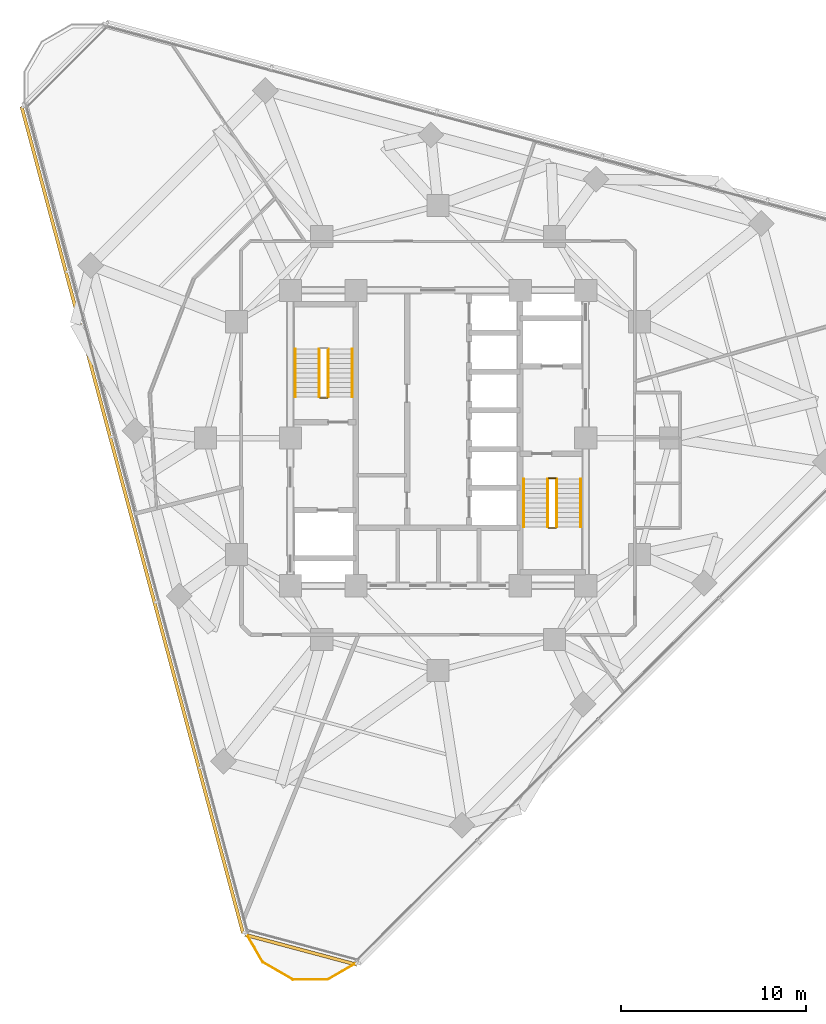
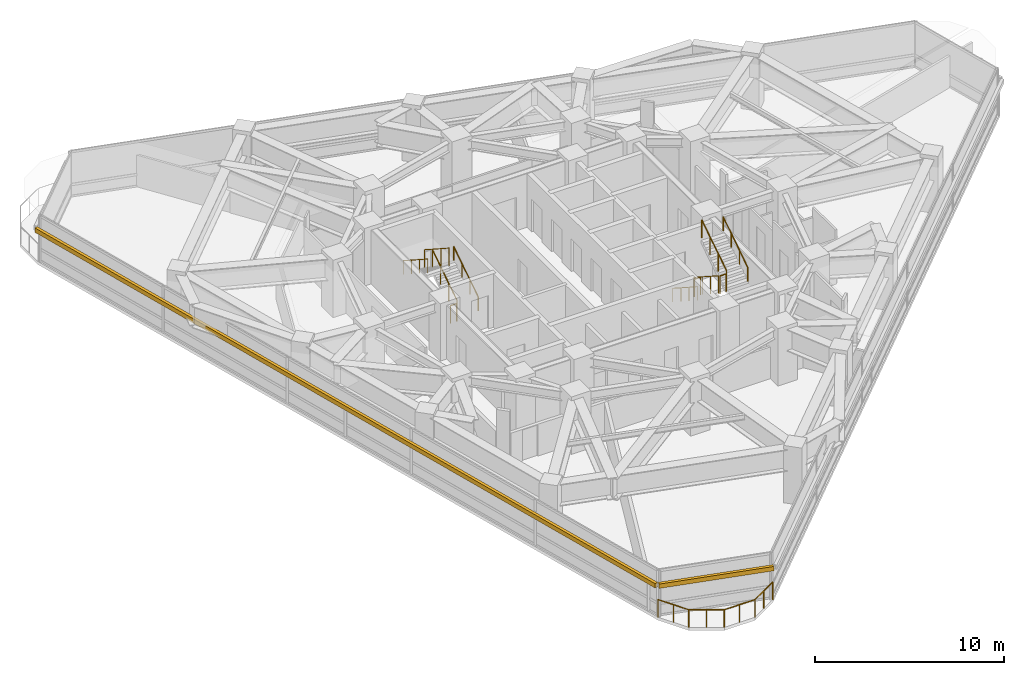
# One storey, part 12 of 15: 12 railings, 2 shading devices.
"""IFC4 building model written with IfcOpenShell, lengths in metres."""

from ifc_helpers import new_model, si_unit, direction, frame, origin, origin_2d, place, context, subcontext, project, spatial, rectangle, circle, extrude, material, layer, layer_set, type_object, element, save


model = new_model("IFC4")

# Units and contexts
model_context = context("Model", 3, precision=1e-05, world=origin(), true_north=direction((0.0, 1.0)))
body_context = subcontext(model_context, "Body", "Model", "MODEL_VIEW")
ifc_project = project(units=[si_unit("LENGTHUNIT", "METRE"), si_unit("AREAUNIT", "SQUARE_METRE"), si_unit("VOLUMEUNIT", "CUBIC_METRE"), si_unit("PLANEANGLEUNIT", "RADIAN"), si_unit("MASSUNIT", "GRAM", prefix="KILO")], contexts=[model_context])

# Site, building, storey
site_placement = place(None, origin())
site = spatial("IfcSite", under=ifc_project, at=site_placement, CompositionType="ELEMENT")
building_placement = place(site_placement, origin())
building = spatial("IfcBuilding", under=site, at=building_placement, Name="Terralouvre Media Tower", CompositionType="ELEMENT")
storey_placement = place(building_placement, frame((0.0, 0.0, 210.10009765625)))
storey = spatial("IfcBuildingStorey", under=building, at=storey_placement, Name="L54", CompositionType="ELEMENT", Elevation=210.10009765625)

# Railings
ifc_material_1 = material(Name="Stainless steel 316 handrail and balustrade", Category="steel")
ifc_layer_1 = layer(ifc_material_1, 0.06005859375, Name="Roof Edge Safety Guardrail GR-ROOF1")
ifc_layer_set_1 = layer_set([ifc_layer_1], Name="Stainless steel 316 handrail and balustrade")
railing_type_1 = type_object("IfcRailingType", Name="Roof Edge Safety Guardrail GR-ROOF1", PredefinedType="GUARDRAIL", material=ifc_layer_set_1)
railing_1_placement = place(storey_placement, frame((-10.418701171875, -26.77685546875, 0.0)))
element("IfcRailing", 1, at=railing_1_placement, inside=storey, type_object=railing_type_1, Name="L54 Wind-Corner Perimeter Safety Guardrail C0", PredefinedType="GUARDRAIL", context=body_context, shape_type="SweptSolid", body=[
    extrude(circle(Radius=0.02099609375, at=origin_2d()), frame((0.0, 0.0, 1.12890625), z_axis=(0.499797667116, -0.866142189219, 0.0), x_axis=(0.866142189219, 0.499797667116, 0.0)), (0.0, 0.0, 1.0), 1.873291015625),
    extrude(circle(Radius=0.02099609375, at=origin_2d()), frame((0.936279296875, -1.62255859375, 1.12890625), z_axis=(0.86593156901, -0.500162491388, 0.0), x_axis=(0.500162491388, 0.86593156901, 0.0)), (0.0, 0.0, 1.0), 1.873046875),
    extrude(circle(Radius=0.02099609375, at=origin_2d()), frame((2.55810546875, -2.559326171875, 1.12890625), z_axis=(0.999999991505, 0.000130344107, 0.0), x_axis=(-0.000130344107, 0.999999991505, 0.0)), (0.0, 0.0, 1.0), 1.873046875),
    extrude(circle(Radius=0.02099609375, at=origin_2d()), frame((4.43115234375, -2.55908203125, 1.12890625), z_axis=(0.86590772507, 0.500203770141, 0.0), x_axis=(-0.500203770141, 0.86590772507, 0.0)), (0.0, 0.0, 1.0), 1.873291015625),
    extrude(circle(Radius=0.01904296875, at=origin_2d()), origin(), (0.0, 0.0, 1.0), 1.10791015625),
    extrude(circle(Radius=0.01904296875, at=origin_2d()), frame((0.46826171875, -0.811279296875, 0.0)), (0.0, 0.0, 1.0), 1.10791015625),
    extrude(circle(Radius=0.01904296875, at=origin_2d()), frame((0.936279296875, -1.62255859375, 0.0)), (0.0, 0.0, 1.0), 1.10791015625),
    extrude(circle(Radius=0.01904296875, at=origin_2d()), frame((1.7470703125, -2.0908203125, 0.0)), (0.0, 0.0, 1.0), 1.10791015625),
    extrude(circle(Radius=0.01904296875, at=origin_2d()), frame((2.55810546875, -2.559326171875, 0.0)), (0.0, 0.0, 1.0), 1.10791015625),
    extrude(circle(Radius=0.01904296875, at=origin_2d()), frame((3.49462890625, -2.55908203125, 0.0)), (0.0, 0.0, 1.0), 1.10791015625),
    extrude(circle(Radius=0.01904296875, at=origin_2d()), frame((4.43115234375, -2.55908203125, 0.0)), (0.0, 0.0, 1.0), 1.10791015625),
    extrude(circle(Radius=0.01904296875, at=origin_2d()), frame((5.2421875, -2.090576171875, 0.0)), (0.0, 0.0, 1.0), 1.10791015625),
    extrude(circle(Radius=0.01904296875, at=origin_2d()), frame((6.05322265625, -1.6220703125, 0.0)), (0.0, 0.0, 1.0), 1.10791015625),
])
ifc_material_2 = material(Name="Stainless steel 316 handrail and balustrade", Category="steel")
ifc_layer_2 = layer(ifc_material_2, 0.050048828125, Name="Stair Flight Wall Handrail HR-INT1")
ifc_layer_set_2 = layer_set([ifc_layer_2], Name="Stainless steel 316 handrail and balustrade")
railing_type_2 = type_object("IfcRailingType", Name="Stair Flight Wall Handrail HR-INT1", PredefinedType="HANDRAIL", material=ifc_layer_set_2)
railing_2_placement = place(storey_placement, frame((-4.64990234375, 2.219970703125, 0.16796875)))
element("IfcRailing", 2, at=railing_2_placement, inside=storey, type_object=railing_type_2, Name="L54 ST-01 stair handrail 1", PredefinedType="HANDRAIL", context=body_context, shape_type="SweptSolid", body=[
    extrude(circle(Radius=0.02392578125, at=origin_2d()), frame((0.0, 0.0, 0.8759765625), z_axis=(0.0, 0.839648411786, 0.543130320075), x_axis=(-1.0, 0.0, 0.0)), (0.0, 0.0, 1.0), 3.0966796875),
    extrude(circle(Radius=0.02099609375, at=origin_2d()), origin(), (0.0, 0.0, 1.0), 0.851806640625),
    extrude(circle(Radius=0.02099609375, at=origin_2d()), frame((0.0, 0.86669921875, 0.560546875)), (0.0, 0.0, 1.0), 0.851806640625),
    extrude(circle(Radius=0.02099609375, at=origin_2d()), frame((0.0, 1.7333984375, 1.121337890625)), (0.0, 0.0, 1.0), 0.851806640625),
    extrude(circle(Radius=0.02099609375, at=origin_2d()), frame((0.0, 2.60009765625, 1.681884765625)), (0.0, 0.0, 1.0), 0.851806640625),
])
for number, where, name in (
    (3, (-7.72998046875, 4.820068359375, 2.01806640625), "L54 ST-01 stair handrail 2"),
    (4, (4.64990234375, -2.219970703125, 0.16796875), "L54 ST-02 stair handrail 1"),
):
    element("IfcRailing", number, at=place(storey_placement, frame(where)), inside=storey, type_object=railing_type_2, Name=name, PredefinedType="HANDRAIL", context=body_context, shape_type="SweptSolid", body=[
        extrude(circle(Radius=0.02392578125, at=origin_2d()), frame((0.0, 0.0, 0.8759765625), z_axis=(0.0, -0.839648411786, 0.543130320075), x_axis=(1.0, 0.0, 0.0)), (0.0, 0.0, 1.0), 3.0966796875),
        extrude(circle(Radius=0.02099609375, at=origin_2d()), origin(), (0.0, 0.0, 1.0), 0.851806640625),
        extrude(circle(Radius=0.02099609375, at=origin_2d()), frame((0.0, -0.86669921875, 0.560546875)), (0.0, 0.0, 1.0), 0.851806640625),
        extrude(circle(Radius=0.02099609375, at=origin_2d()), frame((0.0, -1.7333984375, 1.121337890625)), (0.0, 0.0, 1.0), 0.851806640625),
        extrude(circle(Radius=0.02099609375, at=origin_2d()), frame((0.0, -2.60009765625, 1.681884765625)), (0.0, 0.0, 1.0), 0.851806640625),
    ])
railing_3_placement = place(storey_placement, frame((7.72998046875, -4.820068359375, 2.01806640625)))
element("IfcRailing", 5, at=railing_3_placement, inside=storey, type_object=railing_type_2, Name="L54 ST-02 stair handrail 2", PredefinedType="HANDRAIL", context=body_context, shape_type="SweptSolid", body=[
    extrude(circle(Radius=0.02392578125, at=origin_2d()), frame((0.0, 0.0, 0.8759765625), z_axis=(0.0, 0.839648411786, 0.543130320075), x_axis=(-1.0, 0.0, 0.0)), (0.0, 0.0, 1.0), 3.0966796875),
    extrude(circle(Radius=0.02099609375, at=origin_2d()), origin(), (0.0, 0.0, 1.0), 0.851806640625),
    extrude(circle(Radius=0.02099609375, at=origin_2d()), frame((0.0, 0.86669921875, 0.560546875)), (0.0, 0.0, 1.0), 0.851806640625),
    extrude(circle(Radius=0.02099609375, at=origin_2d()), frame((0.0, 1.7333984375, 1.121337890625)), (0.0, 0.0, 1.0), 0.851806640625),
    extrude(circle(Radius=0.02099609375, at=origin_2d()), frame((0.0, 2.60009765625, 1.681884765625)), (0.0, 0.0, 1.0), 0.851806640625),
])
ifc_material_3 = material(Name="Stainless steel 316 handrail and balustrade", Category="steel")
ifc_layer_3 = layer(ifc_material_3, 0.050048828125, Name="Stairwell Safety Guardrail GR-INT1")
ifc_layer_set_3 = layer_set([ifc_layer_3], Name="Stainless steel 316 handrail and balustrade")
railing_type_3 = type_object("IfcRailingType", Name="Stairwell Safety Guardrail GR-INT1", PredefinedType="GUARDRAIL", material=ifc_layer_set_3)
railing_4_placement = place(storey_placement, frame((-5.949951171875, 2.219970703125, 0.16796875)))
element("IfcRailing", 6, at=railing_4_placement, inside=storey, type_object=railing_type_3, Name="L54 ST-01 stair guard 1", PredefinedType="GUARDRAIL", context=body_context, shape_type="SweptSolid", body=[
    extrude(circle(Radius=0.02392578125, at=origin_2d()), frame((0.0, 0.0, 1.1259765625), z_axis=(0.0, 0.839648411786, 0.543130320075), x_axis=(-1.0, 0.0, 0.0)), (0.0, 0.0, 1.0), 3.0966796875),
    extrude(circle(Radius=0.02099609375, at=origin_2d()), origin(), (0.0, 0.0, 1.0), 1.101806640625),
    extrude(circle(Radius=0.02099609375, at=origin_2d()), frame((0.0, 0.86669921875, 0.560546875)), (0.0, 0.0, 1.0), 1.101806640625),
    extrude(circle(Radius=0.02099609375, at=origin_2d()), frame((0.0, 1.7333984375, 1.121337890625)), (0.0, 0.0, 1.0), 1.101806640625),
    extrude(circle(Radius=0.02099609375, at=origin_2d()), frame((0.0, 2.60009765625, 1.681884765625)), (0.0, 0.0, 1.0), 1.101806640625),
])
railing_5_placement = place(storey_placement, frame((-6.429931640625, 4.820068359375, 2.01806640625)))
element("IfcRailing", 7, at=railing_5_placement, inside=storey, type_object=railing_type_3, Name="L54 ST-01 stair guard 3", PredefinedType="GUARDRAIL", context=body_context, shape_type="SweptSolid", body=[
    extrude(circle(Radius=0.02392578125, at=origin_2d()), frame((0.0, 0.0, 1.1259765625), z_axis=(0.0, -0.839648411786, 0.543130320075), x_axis=(1.0, 0.0, 0.0)), (0.0, 0.0, 1.0), 3.0966796875),
    extrude(circle(Radius=0.02099609375, at=origin_2d()), origin(), (0.0, 0.0, 1.0), 1.101806640625),
    extrude(circle(Radius=0.02099609375, at=origin_2d()), frame((0.0, -0.86669921875, 0.560546875)), (0.0, 0.0, 1.0), 1.101806640625),
    extrude(circle(Radius=0.02099609375, at=origin_2d()), frame((0.0, -1.7333984375, 1.121337890625)), (0.0, 0.0, 1.0), 1.101806640625),
    extrude(circle(Radius=0.02099609375, at=origin_2d()), frame((0.0, -2.60009765625, 1.681884765625)), (0.0, 0.0, 1.0), 1.101806640625),
])
railing_6_placement = place(storey_placement, frame((-6.0, 2.169921875, 0.0)))
element("IfcRailing", 8, at=railing_6_placement, inside=storey, type_object=railing_type_3, Name="L54 ST-01 stair guard 4", PredefinedType="GUARDRAIL", context=body_context, shape_type="SweptSolid", body=[
    extrude(circle(Radius=0.02392578125, at=origin_2d()), frame((0.0, 0.0, 1.1259765625), z_axis=(-1.0, 0.0, 0.0), x_axis=(0.0, -1.0, 0.0)), (0.0, 0.0, 1.0), 0.3798828125),
    extrude(circle(Radius=0.02099609375, at=origin_2d()), origin(), (0.0, 0.0, 1.0), 1.101806640625),
    extrude(circle(Radius=0.02099609375, at=origin_2d()), frame((-0.3798828125, 0.0, 0.0)), (0.0, 0.0, 1.0), 1.101806640625),
])
railing_7_placement = place(storey_placement, frame((5.949951171875, -2.219970703125, 0.16796875)))
element("IfcRailing", 9, at=railing_7_placement, inside=storey, type_object=railing_type_3, Name="L54 ST-02 stair guard 1", PredefinedType="GUARDRAIL", context=body_context, shape_type="SweptSolid", body=[
    extrude(circle(Radius=0.02392578125, at=origin_2d()), frame((0.0, 0.0, 1.1259765625), z_axis=(0.0, -0.839648411786, 0.543130320075), x_axis=(1.0, 0.0, 0.0)), (0.0, 0.0, 1.0), 3.0966796875),
    extrude(circle(Radius=0.02099609375, at=origin_2d()), origin(), (0.0, 0.0, 1.0), 1.101806640625),
    extrude(circle(Radius=0.02099609375, at=origin_2d()), frame((0.0, -0.86669921875, 0.560546875)), (0.0, 0.0, 1.0), 1.101806640625),
    extrude(circle(Radius=0.02099609375, at=origin_2d()), frame((0.0, -1.7333984375, 1.121337890625)), (0.0, 0.0, 1.0), 1.101806640625),
    extrude(circle(Radius=0.02099609375, at=origin_2d()), frame((0.0, -2.60009765625, 1.681884765625)), (0.0, 0.0, 1.0), 1.101806640625),
])
railing_8_placement = place(storey_placement, frame((6.0, -4.8701171875, 1.849853515625)))
element("IfcRailing", 10, at=railing_8_placement, inside=storey, type_object=railing_type_3, Name="L54 ST-02 stair guard 2", PredefinedType="GUARDRAIL", context=body_context, shape_type="SweptSolid", body=[
    extrude(circle(Radius=0.02392578125, at=origin_2d()), frame((0.0, 0.0, 1.1259765625), z_axis=(1.0, 0.0, 0.0), x_axis=(0.0, 1.0, 0.0)), (0.0, 0.0, 1.0), 0.3798828125),
    extrude(circle(Radius=0.02099609375, at=origin_2d()), origin(), (0.0, 0.0, 1.0), 1.101806640625),
    extrude(circle(Radius=0.02099609375, at=origin_2d()), frame((0.3798828125, 0.0, 0.0)), (0.0, 0.0, 1.0), 1.101806640625),
])
railing_9_placement = place(storey_placement, frame((6.429931640625, -4.820068359375, 2.01806640625)))
element("IfcRailing", 11, at=railing_9_placement, inside=storey, type_object=railing_type_3, Name="L54 ST-02 stair guard 3", PredefinedType="GUARDRAIL", context=body_context, shape_type="SweptSolid", body=[
    extrude(circle(Radius=0.02392578125, at=origin_2d()), frame((0.0, 0.0, 1.1259765625), z_axis=(0.0, 0.839648411786, 0.543130320075), x_axis=(-1.0, 0.0, 0.0)), (0.0, 0.0, 1.0), 3.0966796875),
    extrude(circle(Radius=0.02099609375, at=origin_2d()), origin(), (0.0, 0.0, 1.0), 1.101806640625),
    extrude(circle(Radius=0.02099609375, at=origin_2d()), frame((0.0, 0.86669921875, 0.560546875)), (0.0, 0.0, 1.0), 1.101806640625),
    extrude(circle(Radius=0.02099609375, at=origin_2d()), frame((0.0, 1.7333984375, 1.121337890625)), (0.0, 0.0, 1.0), 1.101806640625),
    extrude(circle(Radius=0.02099609375, at=origin_2d()), frame((0.0, 2.60009765625, 1.681884765625)), (0.0, 0.0, 1.0), 1.101806640625),
])
railing_10_placement = place(storey_placement, frame((6.0, -2.169921875, 0.0)))
element("IfcRailing", 12, at=railing_10_placement, inside=storey, type_object=railing_type_3, Name="L54 ST-02 stair guard 4", PredefinedType="GUARDRAIL", context=body_context, shape_type="SweptSolid", body=[
    extrude(circle(Radius=0.02392578125, at=origin_2d()), frame((0.0, 0.0, 1.1259765625), z_axis=(1.0, 0.0, 0.0), x_axis=(0.0, 1.0, 0.0)), (0.0, 0.0, 1.0), 0.3798828125),
    extrude(circle(Radius=0.02099609375, at=origin_2d()), origin(), (0.0, 0.0, 1.0), 1.101806640625),
    extrude(circle(Radius=0.02099609375, at=origin_2d()), frame((0.3798828125, 0.0, 0.0)), (0.0, 0.0, 1.0), 1.101806640625),
])

# Shading devices
ifc_material_4 = material(Name="Extruded terracotta baguette sunshade louvres", Category="masonry")
shading_device_type = type_object("IfcShadingDeviceType", Name="Terracotta Baguette Sunshade Louvre Screen TB-LV1", PredefinedType="USERDEFINED", material=ifc_material_4)
shading_device_1_placement = place(storey_placement, frame((-16.558837890625, -4.43701171875, 1.9990234375), z_axis=(0.0, 0.0, 1.0), x_axis=(0.25881903342, -0.96592582942, 0.0)))
element("IfcShadingDevice", 13, at=shading_device_1_placement, inside=storey, type_object=shading_device_type, Name="CW-L54-F2 Terracotta Baguette Sunshade Louvre", ObjectType="BAGUETTE", PredefinedType="USERDEFINED", context=body_context, shape_type="SweptSolid", body=[
    extrude(rectangle(XDim=46.360107421875, YDim=0.179931640625, at=origin_2d()), origin(), (0.0, 0.0, 1.0), 0.280029296875),
])
shading_device_2_placement = place(storey_placement, frame((-7.427001953125, -27.71826171875, 1.9990234375), z_axis=(0.0, 0.0, 1.0), x_axis=(0.965925911218, -0.258818728144, 0.0)))
element("IfcShadingDevice", 14, at=shading_device_2_placement, inside=storey, type_object=shading_device_type, Name="CW-L54-C0 Terracotta Baguette Sunshade Louvre", ObjectType="BAGUETTE", PredefinedType="USERDEFINED", context=body_context, shape_type="SweptSolid", body=[
    extrude(rectangle(XDim=6.27001953125, YDim=0.179931640625, at=origin_2d()), origin(), (0.0, 0.0, 1.0), 0.280029296875),
])

save(model, "model.ifc")
